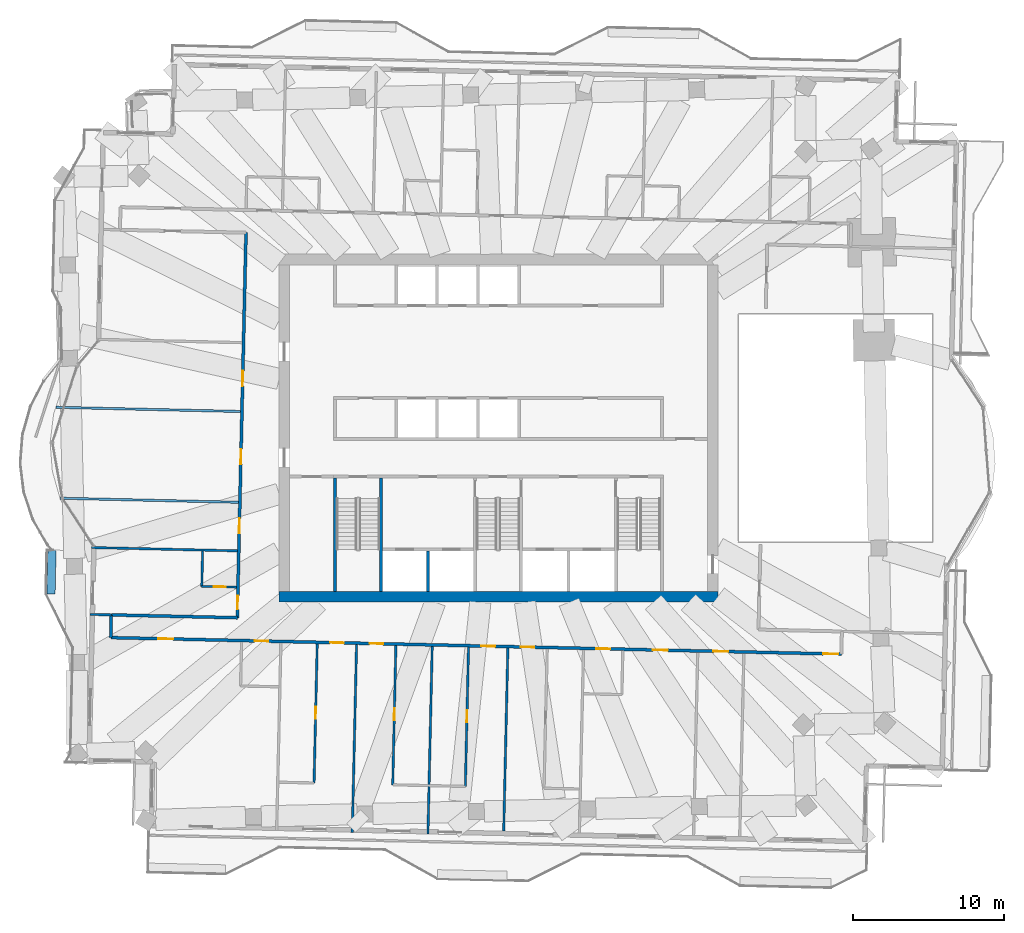
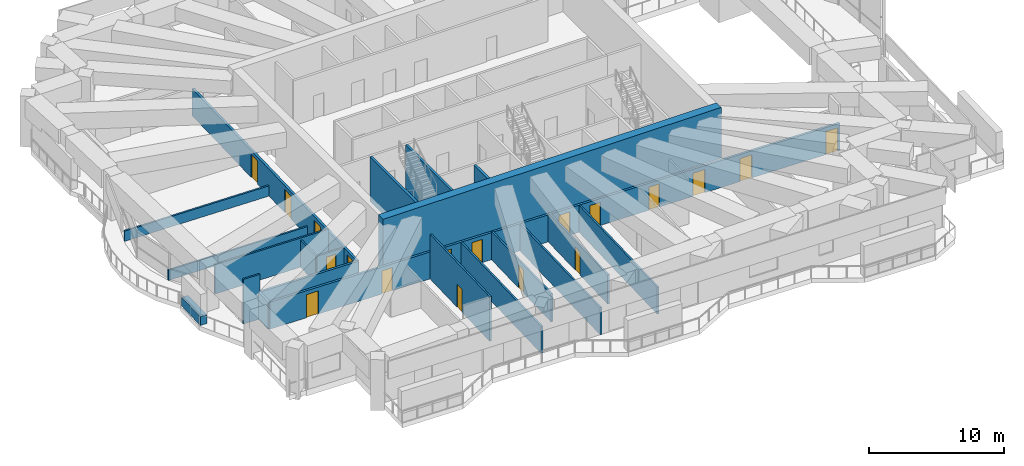
# One storey, part 10 of 20: 21 walls, 18 doors, 18 openings.
"""IFC4 building model written with IfcOpenShell, lengths in metres."""

from ifc_helpers import new_model, si_unit, direction, frame, frame_2d, origin, place, context, subcontext, project, spatial, rectangle, extrude, material, layer, layer_set, type_object, element, fill, save


model = new_model("IFC4")

# Units and contexts
model_context = context("Model", 3, precision=1e-05, world=origin(), true_north=direction((0.0, 1.0)))
body_context = subcontext(model_context, "Body", "Model", "MODEL_VIEW")
ifc_project = project(units=[si_unit("LENGTHUNIT", "METRE"), si_unit("AREAUNIT", "SQUARE_METRE"), si_unit("VOLUMEUNIT", "CUBIC_METRE"), si_unit("PLANEANGLEUNIT", "RADIAN"), si_unit("MASSUNIT", "GRAM", prefix="KILO")], contexts=[model_context])

# Site, building, storey
site_placement = place(None, origin())
site = spatial("IfcSite", under=ifc_project, at=site_placement, CompositionType="ELEMENT")
building_placement = place(site_placement, origin())
building = spatial("IfcBuilding", under=site, at=building_placement, Name="Mangrove Gate Tower", CompositionType="ELEMENT")
storey_placement = place(building_placement, frame((0.0, 0.0, 252.699951171875)))
storey = spatial("IfcBuildingStorey", under=building, at=storey_placement, Name="L64", CompositionType="ELEMENT", Elevation=252.699951171875)

# Walls
ifc_material_1 = material(Name="Concrete C60/75", Category="concrete")
ifc_layer_1 = layer(ifc_material_1, 0.199951171875)
ifc_layer_set_1 = layer_set([ifc_layer_1], Name="Core shaft wall 200 C60/75")
wall_type_1 = type_object("IfcWallType", Name="Core shaft wall 200 C60/75", PredefinedType="SHEAR", material=ifc_layer_set_1)
wall_1_placement = place(storey_placement, frame((-4.64990234375, -10.800048828125, 0.0), z_axis=(0.0, 0.0, 1.0), x_axis=(0.0, 1.0, 0.0)))
element("IfcWall", 1, at=wall_1_placement, inside=storey, type_object=wall_type_1, Name="WALL-L64-CORE-16", PredefinedType="SHEAR", context=body_context, shape_type="SweptSolid", body=[
    extrude(rectangle(XDim=2.699951171875, YDim=0.199951171875, at=frame_2d((1.35009765625, 0.0))), origin(), (0.0, 0.0, 1.0), 4.050048828125),
])
ifc_material_2 = material(Name="Concrete C60/75", Category="concrete")
ifc_layer_2 = layer(ifc_material_2, 0.199951171875)
ifc_layer_set_2 = layer_set([ifc_layer_2], Name="Core stair wall 200 C60/75")
wall_type_2 = type_object("IfcWallType", Name="Core stair wall 200 C60/75", PredefinedType="SHEAR", material=ifc_layer_set_2)
for number, where, z_axis, x_axis, name in (
    (2, (-10.800048828125, -10.800048828125, 0.0), (0.0, 0.0, 1.0), (0.0, 1.0, 0.0), "WALL-L64-CORE-9"),
    (3, (-7.75, -10.800048828125, 0.0), (0.0, 0.0, 1.0), (0.0, 1.0, 0.0), "WALL-L64-CORE-10"),
):
    element("IfcWall", number, at=place(storey_placement, frame(where, z_axis=z_axis, x_axis=x_axis)), inside=storey, type_object=wall_type_2, Name=name, PredefinedType="SHEAR", context=body_context, shape_type="SweptSolid", body=[
        extrude(rectangle(XDim=7.5, YDim=0.199951171875, at=frame_2d((3.75, 0.0))), origin(), (0.0, 0.0, 1.0), 4.050048828125),
    ])
ifc_material_3 = material(Name="Concrete C60/75", Category="concrete")
ifc_layer_3 = layer(ifc_material_3, 0.699951171875)
ifc_layer_set_3 = layer_set([ifc_layer_3], Name="Core wall 700 C60/75")
wall_type_3 = type_object("IfcWallType", Name="Core wall 700 C60/75", PredefinedType="SHEAR", material=ifc_layer_set_3)
wall_2_placement = place(storey_placement, frame((-14.5, -11.14990234375, 0.0), z_axis=(0.0, 0.0, 1.0), x_axis=(1.0, 0.0, 0.0)))
element("IfcWall", 4, at=wall_2_placement, inside=storey, type_object=wall_type_3, Name="WALL-L64-CORE-1", PredefinedType="SHEAR", context=body_context, shape_type="SweptSolid", body=[
    extrude(rectangle(XDim=29.0, YDim=0.699951171875, at=frame_2d((14.5, 0.0))), origin(), (0.0, 0.0, 1.0), 4.60009765625),
])
ifc_material_4 = material(Name="Gypsum board on steel stud, EI 60", Category="steel")
ifc_layer_4 = layer(ifc_material_4, 0.199951171875)
ifc_layer_set_4 = layer_set([ifc_layer_4], Name="Corridor wall EI 60")
wall_type_4 = type_object("IfcWallType", Name="Corridor wall EI 60", PredefinedType="PARTITIONING", material=ifc_layer_set_4)
wall_3_placement = place(storey_placement, frame((-25.623046875, -13.8359375, 0.0), z_axis=(0.0, 0.0, 1.0), x_axis=(0.022617910375, 0.999744182344, 0.0)))
element("IfcWall", 5, at=wall_3_placement, inside=storey, type_object=wall_type_4, Name="WALL-L64-019", PredefinedType="PARTITIONING", context=body_context, shape_type="SweptSolid", body=[
    extrude(rectangle(XDim=1.50048828125, YDim=0.199951171875, at=frame_2d((0.750244140625, 0.0))), origin(), (0.0, 0.0, 1.0), 2.449951171875),
])

# Wall, openings, doors
wall_4_placement = place(storey_placement, frame((-25.618896484375, -13.8359375, 0.0), z_axis=(0.0, 0.0, 1.0), x_axis=(0.999742808343, -0.022678561832, 0.0)))
wall_4 = element("IfcWall", 6, at=wall_4_placement, inside=storey, type_object=wall_type_4, Name="WALL-L64-020", PredefinedType="PARTITIONING", context=body_context, shape_type="SweptSolid", body=[
    extrude(rectangle(XDim=48.2822265625, YDim=0.199951171875, at=frame_2d((24.14111328125, 0.0))), origin(), (0.0, 0.0, 1.0), 2.449951171875),
])
opening_1_placement = place(wall_4_placement, frame((3.125, 0.0, 0.0)))
opening_1 = element("IfcOpeningElement", 7, at=opening_1_placement, cuts=wall_4, Name="Opening AD", PredefinedType="OPENING", context=body_context, shape_type="SweptSolid", body=[
    extrude(rectangle(XDim=1.0, YDim=2.10009765625, at=frame_2d((0.5, 1.050048828125))), frame((0.0, 0.10986328125, 0.0), z_axis=(0.0, -1.0, 0.0), x_axis=(1.0, 0.0, 0.0)), (0.0, 0.0, 1.0), 0.219970703125),
])
opening_2_placement = place(wall_4_placement, frame((9.5, 0.0, 0.0)))
opening_2 = element("IfcOpeningElement", 8, at=opening_2_placement, cuts=wall_4, Name="Opening SD", PredefinedType="OPENING", context=body_context, shape_type="SweptSolid", body=[
    extrude(rectangle(XDim=0.89990234375, YDim=2.10009765625, at=frame_2d((0.449951171875, 1.050048828125))), frame((0.0, 0.10986328125, 0.0), z_axis=(0.0, -1.0, 0.0), x_axis=(1.0, 0.0, 0.0)), (0.0, 0.0, 1.0), 0.219970703125),
])
opening_3_placement = place(wall_4_placement, frame((14.5, 0.0, 0.0)))
opening_3 = element("IfcOpeningElement", 9, at=opening_3_placement, cuts=wall_4, Name="Opening BD", PredefinedType="OPENING", context=body_context, shape_type="SweptSolid", body=[
    extrude(rectangle(XDim=0.89990234375, YDim=2.10009765625, at=frame_2d((0.449951171875, 1.050048828125))), frame((0.0, 0.10986328125, 0.0), z_axis=(0.0, -1.0, 0.0), x_axis=(1.0, 0.0, 0.0)), (0.0, 0.0, 1.0), 0.219970703125),
])
opening_4_placement = place(wall_4_placement, frame((17.10009765625, 0.0, 0.0)))
opening_4 = element("IfcOpeningElement", 10, at=opening_4_placement, cuts=wall_4, Name="Opening BD", PredefinedType="OPENING", context=body_context, shape_type="SweptSolid", body=[
    extrude(rectangle(XDim=0.89990234375, YDim=2.10009765625, at=frame_2d((0.449951171875, 1.050048828125))), frame((0.0, 0.10986328125, 0.0), z_axis=(0.0, -1.0, 0.0), x_axis=(1.0, 0.0, 0.0)), (0.0, 0.0, 1.0), 0.219970703125),
])
opening_5_placement = place(wall_4_placement, frame((24.5, 0.0, 0.0)))
opening_5 = element("IfcOpeningElement", 11, at=opening_5_placement, cuts=wall_4, Name="Opening BD", PredefinedType="OPENING", context=body_context, shape_type="SweptSolid", body=[
    extrude(rectangle(XDim=0.89990234375, YDim=2.10009765625, at=frame_2d((0.449951171875, 1.050048828125))), frame((0.0, 0.10986328125, 0.0), z_axis=(0.0, -1.0, 0.0), x_axis=(1.0, 0.0, 0.0)), (0.0, 0.0, 1.0), 0.219970703125),
])
opening_6_placement = place(wall_4_placement, frame((27.10009765625, 0.0, 0.0)))
opening_6 = element("IfcOpeningElement", 12, at=opening_6_placement, cuts=wall_4, Name="Opening BD", PredefinedType="OPENING", context=body_context, shape_type="SweptSolid", body=[
    extrude(rectangle(XDim=0.89990234375, YDim=2.10009765625, at=frame_2d((0.449951171875, 1.050048828125))), frame((0.0, 0.10986328125, 0.0), z_axis=(0.0, -1.0, 0.0), x_axis=(1.0, 0.0, 0.0)), (0.0, 0.0, 1.0), 0.219970703125),
])
opening_7_placement = place(wall_4_placement, frame((35.824951171875, 0.0, 0.0)))
opening_7 = element("IfcOpeningElement", 13, at=opening_7_placement, cuts=wall_4, Name="Opening AD", PredefinedType="OPENING", context=body_context, shape_type="SweptSolid", body=[
    extrude(rectangle(XDim=1.0, YDim=2.10009765625, at=frame_2d((0.5, 1.050048828125))), frame((0.0, 0.10986328125, 0.0), z_axis=(0.0, -1.0, 0.0), x_axis=(1.0, 0.0, 0.0)), (0.0, 0.0, 1.0), 0.219970703125),
])
opening_8_placement = place(wall_4_placement, frame((32.10009765625, 0.0, 0.0)))
opening_8 = element("IfcOpeningElement", 14, at=opening_8_placement, cuts=wall_4, Name="Opening SD", PredefinedType="OPENING", context=body_context, shape_type="SweptSolid", body=[
    extrude(rectangle(XDim=0.89990234375, YDim=2.10009765625, at=frame_2d((0.449951171875, 1.050048828125))), frame((0.0, 0.10986328125, 0.0), z_axis=(0.0, -1.0, 0.0), x_axis=(1.0, 0.0, 0.0)), (0.0, 0.0, 1.0), 0.219970703125),
])
opening_9_placement = place(wall_4_placement, frame((39.824951171875, 0.0, 0.0)))
opening_9 = element("IfcOpeningElement", 15, at=opening_9_placement, cuts=wall_4, Name="Opening AD", PredefinedType="OPENING", context=body_context, shape_type="SweptSolid", body=[
    extrude(rectangle(XDim=1.0, YDim=2.10009765625, at=frame_2d((0.5, 1.050048828125))), frame((0.0, 0.10986328125, 0.0), z_axis=(0.0, -1.0, 0.0), x_axis=(1.0, 0.0, 0.0)), (0.0, 0.0, 1.0), 0.219970703125),
])
opening_10_placement = place(wall_4_placement, frame((47.0830078125, 0.0, 0.0)))
opening_10 = element("IfcOpeningElement", 16, at=opening_10_placement, cuts=wall_4, Name="Opening AD", PredefinedType="OPENING", context=body_context, shape_type="SweptSolid", body=[
    extrude(rectangle(XDim=1.0, YDim=2.10009765625, at=frame_2d((0.5, 1.050048828125))), frame((0.0, 0.10986328125, 0.0), z_axis=(0.0, -1.0, 0.0), x_axis=(1.0, 0.0, 0.0)), (0.0, 0.0, 1.0), 0.219970703125),
])
ifc_material_5 = material(Name="Timber door leaf", Category="wood")
door_type_1 = type_object("IfcDoorType", Name="Amenity door 1000", OperationType="SINGLE_SWING_LEFT", PredefinedType="DOOR", material=ifc_material_5)
door_1_placement = place(opening_1_placement, origin())
door_1 = element("IfcDoor", 17, at=door_1_placement, inside=storey, type_object=door_type_1, Name="DOOR-L64-LNG-c1a", OperationType="SINGLE_SWING_LEFT", OverallHeight=2.10009765625, OverallWidth=1.0, PredefinedType="DOOR", context=body_context, shape_type="SweptSolid", body=[
    extrude(rectangle(XDim=1.0, YDim=2.10009765625, at=frame_2d((0.5, 1.050048828125))), frame((0.0, 0.02490234375, 0.0), z_axis=(0.0, -1.0, 0.0), x_axis=(1.0, 0.0, 0.0)), (0.0, 0.0, 1.0), 0.050048828125),
])
fill(opening_1, door_1)
door_2_placement = place(opening_7_placement, origin())
door_2 = element("IfcDoor", 18, at=door_2_placement, inside=storey, type_object=door_type_1, Name="DOOR-L64-GAM-c4a", OperationType="SINGLE_SWING_RIGHT", OverallHeight=2.10009765625, OverallWidth=1.0, PredefinedType="DOOR", context=body_context, shape_type="SweptSolid", body=[
    extrude(rectangle(XDim=1.0, YDim=2.10009765625, at=frame_2d((0.5, 1.050048828125))), frame((0.0, 0.02490234375, 0.0), z_axis=(0.0, -1.0, 0.0), x_axis=(1.0, 0.0, 0.0)), (0.0, 0.0, 1.0), 0.050048828125),
])
fill(opening_7, door_2)
door_3_placement = place(opening_9_placement, origin())
door_3 = element("IfcDoor", 19, at=door_3_placement, inside=storey, type_object=door_type_1, Name="DOOR-L64-STU-c4a", OperationType="SINGLE_SWING_LEFT", OverallHeight=2.10009765625, OverallWidth=1.0, PredefinedType="DOOR", context=body_context, shape_type="SweptSolid", body=[
    extrude(rectangle(XDim=1.0, YDim=2.10009765625, at=frame_2d((0.5, 1.050048828125))), frame((0.0, 0.02490234375, 0.0), z_axis=(0.0, -1.0, 0.0), x_axis=(1.0, 0.0, 0.0)), (0.0, 0.0, 1.0), 0.050048828125),
])
fill(opening_9, door_3)
door_4_placement = place(opening_10_placement, origin())
door_4 = element("IfcDoor", 20, at=door_4_placement, inside=storey, type_object=door_type_1, Name="DOOR-L64-LNG-c4a", OperationType="SINGLE_SWING_RIGHT", OverallHeight=2.10009765625, OverallWidth=1.0, PredefinedType="DOOR", context=body_context, shape_type="SweptSolid", body=[
    extrude(rectangle(XDim=1.0, YDim=2.10009765625, at=frame_2d((0.5, 1.050048828125))), frame((0.0, 0.02490234375, 0.0), z_axis=(0.0, -1.0, 0.0), x_axis=(1.0, 0.0, 0.0)), (0.0, 0.0, 1.0), 0.050048828125),
])
fill(opening_10, door_4)
ifc_material_6 = material(Name="Timber door leaf", Category="wood")
door_type_2 = type_object("IfcDoorType", Name="Bedroom door 900", OperationType="SINGLE_SWING_LEFT", PredefinedType="DOOR", material=ifc_material_6)
door_5_placement = place(opening_3_placement, origin())
door_5 = element("IfcDoor", 21, at=door_5_placement, inside=storey, type_object=door_type_2, Name="DOOR-L64-BED-c101", OperationType="SINGLE_SWING_LEFT", OverallHeight=2.10009765625, OverallWidth=0.89990234375, PredefinedType="DOOR", context=body_context, shape_type="SweptSolid", body=[
    extrude(rectangle(XDim=0.89990234375, YDim=2.10009765625, at=frame_2d((0.449951171875, 1.050048828125))), frame((0.0, 0.02490234375, 0.0), z_axis=(0.0, -1.0, 0.0), x_axis=(1.0, 0.0, 0.0)), (0.0, 0.0, 1.0), 0.050048828125),
])
fill(opening_3, door_5)
door_6_placement = place(opening_4_placement, origin())
door_6 = element("IfcDoor", 22, at=door_6_placement, inside=storey, type_object=door_type_2, Name="DOOR-L64-BED-c102", OperationType="SINGLE_SWING_RIGHT", OverallHeight=2.10009765625, OverallWidth=0.89990234375, PredefinedType="DOOR", context=body_context, shape_type="SweptSolid", body=[
    extrude(rectangle(XDim=0.89990234375, YDim=2.10009765625, at=frame_2d((0.449951171875, 1.050048828125))), frame((0.0, 0.02490234375, 0.0), z_axis=(0.0, -1.0, 0.0), x_axis=(1.0, 0.0, 0.0)), (0.0, 0.0, 1.0), 0.050048828125),
])
fill(opening_4, door_6)
door_7_placement = place(opening_5_placement, origin())
door_7 = element("IfcDoor", 23, at=door_7_placement, inside=storey, type_object=door_type_2, Name="DOOR-L64-BED-c203", OperationType="SINGLE_SWING_LEFT", OverallHeight=2.10009765625, OverallWidth=0.89990234375, PredefinedType="DOOR", context=body_context, shape_type="SweptSolid", body=[
    extrude(rectangle(XDim=0.89990234375, YDim=2.10009765625, at=frame_2d((0.449951171875, 1.050048828125))), frame((0.0, 0.02490234375, 0.0), z_axis=(0.0, -1.0, 0.0), x_axis=(1.0, 0.0, 0.0)), (0.0, 0.0, 1.0), 0.050048828125),
])
fill(opening_5, door_7)
door_8_placement = place(opening_6_placement, origin())
door_8 = element("IfcDoor", 24, at=door_8_placement, inside=storey, type_object=door_type_2, Name="DOOR-L64-BED-c304", OperationType="SINGLE_SWING_RIGHT", OverallHeight=2.10009765625, OverallWidth=0.89990234375, PredefinedType="DOOR", context=body_context, shape_type="SweptSolid", body=[
    extrude(rectangle(XDim=0.89990234375, YDim=2.10009765625, at=frame_2d((0.449951171875, 1.050048828125))), frame((0.0, 0.02490234375, 0.0), z_axis=(0.0, -1.0, 0.0), x_axis=(1.0, 0.0, 0.0)), (0.0, 0.0, 1.0), 0.050048828125),
])
fill(opening_6, door_8)
ifc_material_7 = material(Name="Timber door leaf", Category="wood")
door_type_3 = type_object("IfcDoorType", Name="Service room door 900", OperationType="SINGLE_SWING_LEFT", PredefinedType="DOOR", material=ifc_material_7)
door_9_placement = place(opening_2_placement, origin())
door_9 = element("IfcDoor", 25, at=door_9_placement, inside=storey, type_object=door_type_3, Name="DOOR-L64-AWC-c1a", OperationType="SINGLE_SWING_LEFT", OverallHeight=2.10009765625, OverallWidth=0.89990234375, PredefinedType="DOOR", context=body_context, shape_type="SweptSolid", body=[
    extrude(rectangle(XDim=0.89990234375, YDim=2.10009765625, at=frame_2d((0.449951171875, 1.050048828125))), frame((0.0, 0.02490234375, 0.0), z_axis=(0.0, -1.0, 0.0), x_axis=(1.0, 0.0, 0.0)), (0.0, 0.0, 1.0), 0.050048828125),
])
fill(opening_2, door_9)
door_10_placement = place(opening_8_placement, origin())
door_10 = element("IfcDoor", 26, at=door_10_placement, inside=storey, type_object=door_type_3, Name="DOOR-L64-AWC-c4a", OperationType="SINGLE_SWING_RIGHT", OverallHeight=2.10009765625, OverallWidth=0.89990234375, PredefinedType="DOOR", context=body_context, shape_type="SweptSolid", body=[
    extrude(rectangle(XDim=0.89990234375, YDim=2.10009765625, at=frame_2d((0.449951171875, 1.050048828125))), frame((0.0, 0.02490234375, 0.0), z_axis=(0.0, -1.0, 0.0), x_axis=(1.0, 0.0, 0.0)), (0.0, 0.0, 1.0), 0.050048828125),
])
fill(opening_8, door_10)

# Wall
wall_5_placement = place(storey_placement, frame((-25.5849609375, -12.3359375, 0.0), z_axis=(0.0, 0.0, 1.0), x_axis=(0.999742667073, -0.022684788611, 0.0)))
element("IfcWall", 27, at=wall_5_placement, inside=storey, type_object=wall_type_4, Name="WALL-L64-023", PredefinedType="PARTITIONING", context=body_context, shape_type="SweptSolid", body=[
    extrude(rectangle(XDim=8.330078125, YDim=0.199951171875, at=frame_2d((4.1650390625, 0.0))), origin(), (0.0, 0.0, 1.0), 2.449951171875),
])

# Wall, openings, doors
wall_6_placement = place(storey_placement, frame((-17.261962890625, -12.52490234375, 0.0), z_axis=(0.0, 0.0, 1.0), x_axis=(0.022706151961, 0.999742182097, 0.0)))
wall_6 = element("IfcWall", 28, at=wall_6_placement, inside=storey, type_object=wall_type_4, Name="WALL-L64-024", PredefinedType="PARTITIONING", context=body_context, shape_type="SweptSolid", body=[
    extrude(rectangle(XDim=25.450439453125, YDim=0.199951171875, at=frame_2d((12.72509765625, 0.0))), origin(), (0.0, 0.0, 1.0), 2.449951171875),
])
opening_11_placement = place(wall_6_placement, frame((15.31396484375, 0.0, 0.0)))
opening_11 = element("IfcOpeningElement", 29, at=opening_11_placement, cuts=wall_6, Name="Opening AD", PredefinedType="OPENING", context=body_context, shape_type="SweptSolid", body=[
    extrude(rectangle(XDim=1.0, YDim=2.10009765625, at=frame_2d((0.5, 1.050048828125))), frame((0.0, 0.10986328125, 0.0), z_axis=(0.0, -1.0, 0.0), x_axis=(1.0, 0.0, 0.0)), (0.0, 0.0, 1.0), 0.219970703125),
])
opening_12_placement = place(wall_6_placement, frame((10.14306640625, 0.0, 0.0)))
opening_12 = element("IfcOpeningElement", 30, at=opening_12_placement, cuts=wall_6, Name="Opening AD", PredefinedType="OPENING", context=body_context, shape_type="SweptSolid", body=[
    extrude(rectangle(XDim=1.0, YDim=2.10009765625, at=frame_2d((0.5, 1.050048828125))), frame((0.0, 0.10986328125, 0.0), z_axis=(0.0, -1.0, 0.0), x_axis=(1.0, 0.0, 0.0)), (0.0, 0.0, 1.0), 0.219970703125),
])
opening_13_placement = place(wall_6_placement, frame((5.577880859375, 0.0, 0.0)))
opening_13 = element("IfcOpeningElement", 31, at=opening_13_placement, cuts=wall_6, Name="Opening AD", PredefinedType="OPENING", context=body_context, shape_type="SweptSolid", body=[
    extrude(rectangle(XDim=1.0, YDim=2.10009765625, at=frame_2d((0.5, 1.050048828125))), frame((0.0, 0.10986328125, 0.0), z_axis=(0.0, -1.0, 0.0), x_axis=(1.0, 0.0, 0.0)), (0.0, 0.0, 1.0), 0.219970703125),
])
opening_14_placement = place(wall_6_placement, frame((0.56201171875, 0.0, 0.0)))
opening_14 = element("IfcOpeningElement", 32, at=opening_14_placement, cuts=wall_6, Name="Opening BD", PredefinedType="OPENING", context=body_context, shape_type="SweptSolid", body=[
    extrude(rectangle(XDim=0.89990234375, YDim=2.10009765625, at=frame_2d((0.449951171875, 1.050048828125))), frame((0.0, 0.10986328125, 0.0), z_axis=(0.0, -1.0, 0.0), x_axis=(1.0, 0.0, 0.0)), (0.0, 0.0, 1.0), 0.219970703125),
])
door_11_placement = place(opening_11_placement, origin())
door_11 = element("IfcDoor", 33, at=door_11_placement, inside=storey, type_object=door_type_1, Name="DOOR-L64-KIT-c5b", OperationType="SINGLE_SWING_RIGHT", OverallHeight=2.10009765625, OverallWidth=1.0, PredefinedType="DOOR", context=body_context, shape_type="SweptSolid", body=[
    extrude(rectangle(XDim=1.0, YDim=2.10009765625, at=frame_2d((0.5, 1.050048828125))), frame((0.0, 0.02490234375, 0.0), z_axis=(0.0, -1.0, 0.0), x_axis=(1.0, 0.0, 0.0)), (0.0, 0.0, 1.0), 0.050048828125),
])
fill(opening_11, door_11)
door_12_placement = place(opening_12_placement, origin())
door_12 = element("IfcDoor", 34, at=door_12_placement, inside=storey, type_object=door_type_1, Name="DOOR-L64-GAM-c5b", OperationType="SINGLE_SWING_LEFT", OverallHeight=2.10009765625, OverallWidth=1.0, PredefinedType="DOOR", context=body_context, shape_type="SweptSolid", body=[
    extrude(rectangle(XDim=1.0, YDim=2.10009765625, at=frame_2d((0.5, 1.050048828125))), frame((0.0, 0.02490234375, 0.0), z_axis=(0.0, -1.0, 0.0), x_axis=(1.0, 0.0, 0.0)), (0.0, 0.0, 1.0), 0.050048828125),
])
fill(opening_12, door_12)
door_13_placement = place(opening_13_placement, origin())
door_13 = element("IfcDoor", 35, at=door_13_placement, inside=storey, type_object=door_type_1, Name="DOOR-L64-STU-c5b", OperationType="SINGLE_SWING_RIGHT", OverallHeight=2.10009765625, OverallWidth=1.0, PredefinedType="DOOR", context=body_context, shape_type="SweptSolid", body=[
    extrude(rectangle(XDim=1.0, YDim=2.10009765625, at=frame_2d((0.5, 1.050048828125))), frame((0.0, 0.02490234375, 0.0), z_axis=(0.0, -1.0, 0.0), x_axis=(1.0, 0.0, 0.0)), (0.0, 0.0, 1.0), 0.050048828125),
])
fill(opening_13, door_13)
door_14_placement = place(opening_14_placement, origin())
door_14 = element("IfcDoor", 36, at=door_14_placement, inside=storey, type_object=door_type_2, Name="DOOR-L64-BED-c506", OperationType="SINGLE_SWING_RIGHT", OverallHeight=2.10009765625, OverallWidth=0.89990234375, PredefinedType="DOOR", context=body_context, shape_type="SweptSolid", body=[
    extrude(rectangle(XDim=0.89990234375, YDim=2.10009765625, at=frame_2d((0.449951171875, 1.050048828125))), frame((0.0, 0.02490234375, 0.0), z_axis=(0.0, -1.0, 0.0), x_axis=(1.0, 0.0, 0.0)), (0.0, 0.0, 1.0), 0.050048828125),
])
fill(opening_14, door_14)

# Walls
ifc_material_8 = material(Name="Gypsum board on steel stud, EI 60", Category="steel")
ifc_layer_5 = layer(ifc_material_8, 0.14990234375)
ifc_layer_set_5 = layer_set([ifc_layer_5], Name="Party wall 150 EI 60")
wall_type_5 = type_object("IfcWallType", Name="Party wall 150 EI 60", PredefinedType="PARTITIONING", material=ifc_layer_set_5)
wall_7_placement = place(storey_placement, frame((-9.660888671875, -26.700927734375, 0.0), z_axis=(0.0, 0.0, 1.0), x_axis=(0.022661475803, 0.999743195783, 0.0)))
element("IfcWall", 37, at=wall_7_placement, inside=storey, type_object=wall_type_5, Name="WALL-L64-002", PredefinedType="PARTITIONING", context=body_context, shape_type="SweptSolid", body=[
    extrude(rectangle(XDim=12.400146484375, YDim=0.14990234375, at=frame_2d((6.2001953125, 0.0))), origin(), (0.0, 0.0, 1.0), 2.449951171875),
])
wall_8_placement = place(storey_placement, frame((-4.6630859375, -26.81396484375, 0.0), z_axis=(0.0, 0.0, 1.0), x_axis=(0.022741979748, 0.999741367733, 0.0)))
element("IfcWall", 38, at=wall_8_placement, inside=storey, type_object=wall_type_5, Name="WALL-L64-003", PredefinedType="PARTITIONING", context=body_context, shape_type="SweptSolid", body=[
    extrude(rectangle(XDim=12.399169921875, YDim=0.14990234375, at=frame_2d((6.19970703125, 0.0))), origin(), (0.0, 0.0, 1.0), 2.449951171875),
])
wall_9_placement = place(storey_placement, frame((0.343017578125, -26.6279296875, 0.0), z_axis=(0.0, 0.0, 1.0), x_axis=(0.022719113715, 0.999741887625, 0.0)))
element("IfcWall", 39, at=wall_9_placement, inside=storey, type_object=wall_type_5, Name="WALL-L64-004", PredefinedType="PARTITIONING", context=body_context, shape_type="SweptSolid", body=[
    extrude(rectangle(XDim=12.10009765625, YDim=0.14990234375, at=frame_2d((6.050048828125, 0.0))), origin(), (0.0, 0.0, 1.0), 2.449951171875),
])

# Wall, opening, door
wall_10_placement = place(storey_placement, frame((-12.18798828125, -23.443115234375, 0.0), z_axis=(0.0, 0.0, 1.0), x_axis=(0.02271477479, 0.999741986218, 0.0)))
wall_10 = element("IfcWall", 40, at=wall_10_placement, inside=storey, type_object=wall_type_5, Name="WALL-L64-009", PredefinedType="PARTITIONING", context=body_context, shape_type="SweptSolid", body=[
    extrude(rectangle(XDim=9.200439453125, YDim=0.14990234375, at=frame_2d((4.60009765625, 0.0))), origin(), (0.0, 0.0, 1.0), 4.050048828125),
])
opening_15_placement = place(wall_10_placement, frame((4.25, 0.0, 0.0)))
opening_15 = element("IfcOpeningElement", 41, at=opening_15_placement, cuts=wall_10, Name="Opening ED", PredefinedType="OPENING", context=body_context, shape_type="SweptSolid", body=[
    extrude(rectangle(XDim=0.800048828125, YDim=2.10009765625, at=frame_2d((0.39990234375, 1.050048828125))), frame((0.0, 0.0849609375, 0.0), z_axis=(0.0, -1.0, 0.0), x_axis=(1.0, 0.0, 0.0)), (0.0, 0.0, 1.0), 0.169921875),
])
ifc_material_9 = material(Name="Timber door leaf", Category="wood")
door_type_4 = type_object("IfcDoorType", Name="En-suite door 800", OperationType="SINGLE_SWING_LEFT", PredefinedType="DOOR", material=ifc_material_9)
door_15_placement = place(opening_15_placement, origin())
door_15 = element("IfcDoor", 42, at=door_15_placement, inside=storey, type_object=door_type_4, Name="DOOR-L64-ENS-c101", OperationType="SINGLE_SWING_LEFT", OverallHeight=2.10009765625, OverallWidth=0.800048828125, PredefinedType="DOOR", context=body_context, shape_type="SweptSolid", body=[
    extrude(rectangle(XDim=0.800048828125, YDim=2.10009765625, at=frame_2d((0.39990234375, 1.050048828125))), frame((0.0, 0.02490234375, 0.0), z_axis=(0.0, -1.0, 0.0), x_axis=(1.0, 0.0, 0.0)), (0.0, 0.0, 1.0), 0.050048828125),
])
fill(opening_15, door_15)

wall_11_placement = place(storey_placement, frame((-6.989013671875, -23.56103515625, 0.0), z_axis=(0.0, 0.0, 1.0), x_axis=(0.022608685365, 0.999744391005, 0.0)))
wall_11 = element("IfcWall", 43, at=wall_11_placement, inside=storey, type_object=wall_type_5, Name="WALL-L64-010", PredefinedType="PARTITIONING", context=body_context, shape_type="SweptSolid", body=[
    extrude(rectangle(XDim=9.200439453125, YDim=0.14990234375, at=frame_2d((4.60009765625, 0.0))), origin(), (0.0, 0.0, 1.0), 2.550048828125),
])
opening_16_placement = place(wall_11_placement, frame((4.25, 0.0, 0.0)))
opening_16 = element("IfcOpeningElement", 44, at=opening_16_placement, cuts=wall_11, Name="Opening ED", PredefinedType="OPENING", context=body_context, shape_type="SweptSolid", body=[
    extrude(rectangle(XDim=0.800048828125, YDim=2.10009765625, at=frame_2d((0.39990234375, 1.050048828125))), frame((0.0, 0.0849609375, 0.0), z_axis=(0.0, -1.0, 0.0), x_axis=(1.0, 0.0, 0.0)), (0.0, 0.0, 1.0), 0.169921875),
])
door_16_placement = place(opening_16_placement, origin())
door_16 = element("IfcDoor", 45, at=door_16_placement, inside=storey, type_object=door_type_4, Name="DOOR-L64-ENS-c102", OperationType="SINGLE_SWING_RIGHT", OverallHeight=2.10009765625, OverallWidth=0.800048828125, PredefinedType="DOOR", context=body_context, shape_type="SweptSolid", body=[
    extrude(rectangle(XDim=0.800048828125, YDim=2.10009765625, at=frame_2d((0.39990234375, 1.050048828125))), frame((0.0, 0.02490234375, 0.0), z_axis=(0.0, -1.0, 0.0), x_axis=(1.0, 0.0, 0.0)), (0.0, 0.0, 1.0), 0.050048828125),
])
fill(opening_16, door_16)

wall_12_placement = place(storey_placement, frame((-2.19091796875, -23.669921875, 0.0), z_axis=(0.0, 0.0, 1.0), x_axis=(0.02271477479, 0.999741986218, 0.0)))
wall_12 = element("IfcWall", 46, at=wall_12_placement, inside=storey, type_object=wall_type_5, Name="WALL-L64-012", PredefinedType="PARTITIONING", context=body_context, shape_type="SweptSolid", body=[
    extrude(rectangle(XDim=9.200439453125, YDim=0.14990234375, at=frame_2d((4.60009765625, 0.0))), origin(), (0.0, 0.0, 1.0), 2.650146484375),
])
opening_17_placement = place(wall_12_placement, frame((4.25, 0.0, 0.0)))
opening_17 = element("IfcOpeningElement", 47, at=opening_17_placement, cuts=wall_12, Name="Opening ED", PredefinedType="OPENING", context=body_context, shape_type="SweptSolid", body=[
    extrude(rectangle(XDim=0.800048828125, YDim=2.10009765625, at=frame_2d((0.39990234375, 1.050048828125))), frame((0.0, 0.0849609375, 0.0), z_axis=(0.0, -1.0, 0.0), x_axis=(1.0, 0.0, 0.0)), (0.0, 0.0, 1.0), 0.169921875),
])
door_17_placement = place(opening_17_placement, origin())
door_17 = element("IfcDoor", 48, at=door_17_placement, inside=storey, type_object=door_type_4, Name="DOOR-L64-ENS-c203", OperationType="SINGLE_SWING_LEFT", OverallHeight=2.10009765625, OverallWidth=0.800048828125, PredefinedType="DOOR", context=body_context, shape_type="SweptSolid", body=[
    extrude(rectangle(XDim=0.800048828125, YDim=2.10009765625, at=frame_2d((0.39990234375, 1.050048828125))), frame((0.0, 0.02490234375, 0.0), z_axis=(0.0, -1.0, 0.0), x_axis=(1.0, 0.0, 0.0)), (0.0, 0.0, 1.0), 0.050048828125),
])
fill(opening_17, door_17)

# Wall
wall_13_placement = place(storey_placement, frame((-26.985107421875, -12.303955078125, 0.0), z_axis=(0.0, 0.0, 1.0), x_axis=(0.999739219063, -0.022836240226, 0.0)))
element("IfcWall", 49, at=wall_13_placement, inside=storey, type_object=wall_type_5, Name="WALL-L64-022", PredefinedType="PARTITIONING", context=body_context, shape_type="SweptSolid", body=[
    extrude(rectangle(XDim=1.400390625, YDim=0.14990234375, at=frame_2d((0.7001953125, 0.0))), origin(), (0.0, 0.0, 1.0), 4.050048828125),
])

# Wall, opening, door
wall_14_placement = place(storey_placement, frame((-19.610107421875, -10.450927734375, 0.0), z_axis=(0.0, 0.0, 1.0), x_axis=(0.999744296031, -0.022612884682, 0.0)))
wall_14 = element("IfcWall", 50, at=wall_14_placement, inside=storey, type_object=wall_type_5, Name="WALL-L64-028", PredefinedType="PARTITIONING", context=body_context, shape_type="SweptSolid", body=[
    extrude(rectangle(XDim=2.299560546875, YDim=0.14990234375, at=frame_2d((1.14990234375, 0.0))), origin(), (0.0, 0.0, 1.0), 2.449951171875),
])
opening_18_placement = place(wall_14_placement, frame((0.800048828125, 0.0, 0.0)))
opening_18 = element("IfcOpeningElement", 51, at=opening_18_placement, cuts=wall_14, Name="Opening ED", PredefinedType="OPENING", context=body_context, shape_type="SweptSolid", body=[
    extrude(rectangle(XDim=0.800048828125, YDim=2.10009765625, at=frame_2d((0.39990234375, 1.050048828125))), frame((0.0, 0.0849609375, 0.0), z_axis=(0.0, -1.0, 0.0), x_axis=(1.0, 0.0, 0.0)), (0.0, 0.0, 1.0), 0.169921875),
])
door_18_placement = place(opening_18_placement, origin())
door_18 = element("IfcDoor", 52, at=door_18_placement, inside=storey, type_object=door_type_4, Name="DOOR-L64-ENS-c506", OperationType="SINGLE_SWING_RIGHT", OverallHeight=2.10009765625, OverallWidth=0.800048828125, PredefinedType="DOOR", context=body_context, shape_type="SweptSolid", body=[
    extrude(rectangle(XDim=0.800048828125, YDim=2.10009765625, at=frame_2d((0.39990234375, 1.050048828125))), frame((0.0, 0.02490234375, 0.0), z_axis=(0.0, -1.0, 0.0), x_axis=(1.0, 0.0, 0.0)), (0.0, 0.0, 1.0), 0.050048828125),
])
fill(opening_18, door_18)

# Walls
wall_15_placement = place(storey_placement, frame((-19.60498046875, -10.446044921875, 0.0), z_axis=(0.0, 0.0, 1.0), x_axis=(0.02279059109, 0.999740260747, 0.0)))
element("IfcWall", 53, at=wall_15_placement, inside=storey, type_object=wall_type_5, Name="WALL-L64-029", PredefinedType="PARTITIONING", context=body_context, shape_type="SweptSolid", body=[
    extrude(rectangle(XDim=2.324462890625, YDim=0.14990234375, at=frame_2d((1.162109375, 0.0))), origin(), (0.0, 0.0, 1.0), 2.449951171875),
])
wall_16_placement = place(storey_placement, frame((-26.885009765625, -7.885009765625, 0.0), z_axis=(0.0, 0.0, 1.0), x_axis=(0.999741468995, -0.022737527832, 0.0)))
element("IfcWall", 54, at=wall_16_placement, inside=storey, type_object=wall_type_5, Name="WALL-L64-030", PredefinedType="PARTITIONING", context=body_context, shape_type="SweptSolid", body=[
    extrude(rectangle(XDim=9.63134765625, YDim=0.14990234375, at=frame_2d((4.815673828125, 0.0))), origin(), (0.0, 0.0, 1.0), 2.650146484375),
])
wall_17_placement = place(storey_placement, frame((-28.972900390625, -4.626953125, 0.0), z_axis=(0.0, 0.0, 1.0), x_axis=(0.99974161105, -0.022731280962, 0.0)))
element("IfcWall", 55, at=wall_17_placement, inside=storey, type_object=wall_type_5, Name="WALL-L64-031", PredefinedType="PARTITIONING", context=body_context, shape_type="SweptSolid", body=[
    extrude(rectangle(XDim=11.792724609375, YDim=0.14990234375, at=frame_2d((5.896484375, 0.0))), origin(), (0.0, 0.0, 1.0), 0.929931640625),
])
wall_18_placement = place(storey_placement, frame((-29.25390625, 1.381103515625, 0.0), z_axis=(0.0, 0.0, 1.0), x_axis=(0.999742444231, -0.022694607376, 0.0)))
element("IfcWall", 56, at=wall_18_placement, inside=storey, type_object=wall_type_5, Name="WALL-L64-032", PredefinedType="PARTITIONING", context=body_context, shape_type="SweptSolid", body=[
    extrude(rectangle(XDim=12.2099609375, YDim=0.14990234375, at=frame_2d((6.10498046875, 0.0))), origin(), (0.0, 0.0, 1.0), 0.929931640625),
])
ifc_material_10 = material(Name="Concrete C32/40", Category="concrete")
ifc_layer_6 = layer(ifc_material_10, 0.199951171875, Name="Planter trough wall")
ifc_material_11 = material(Name="Bituminous waterproofing membrane")
ifc_layer_7 = layer(ifc_material_11, 0.0048828125, Name="Waterproofing")
ifc_material_12 = material(Name="Drainage board and gravel")
ifc_layer_8 = layer(ifc_material_12, 0.044921875, Name="Drainage layer")
ifc_material_13 = material(Name="Planting soil")
ifc_layer_9 = layer(ifc_material_13, 0.300048828125, Name="Growing medium")
ifc_layer_set_6 = layer_set([ifc_layer_6, ifc_layer_7, ifc_layer_8, ifc_layer_9], Name="Planter wall 550 C32/40")
wall_type_6 = type_object("IfcWallType", Name="Planter wall 550 C32/40", PredefinedType="USERDEFINED", material=ifc_layer_set_6)
wall_19_placement = place(storey_placement, frame((-29.570068359375, -10.945068359375, 0.0), z_axis=(0.0, 0.0, 1.0), x_axis=(0.022675106248, 0.999742886725, 0.0)))
element("IfcWall", 57, at=wall_19_placement, inside=storey, type_object=wall_type_6, Name="PLANTER L64 W1.1", ObjectType="PLANTER", PredefinedType="USERDEFINED", context=body_context, shape_type="SweptSolid", body=[
    extrude(rectangle(XDim=2.874755859375, YDim=0.550048828125, at=frame_2d((1.4375, 0.0))), origin(), (0.0, 0.0, 1.0), 0.800048828125),
])

save(model, "model.ifc")
